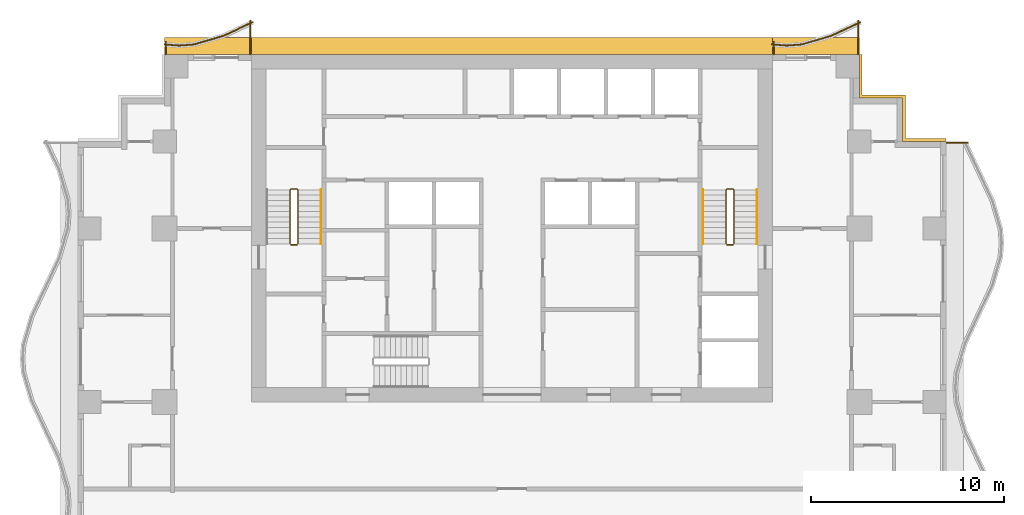
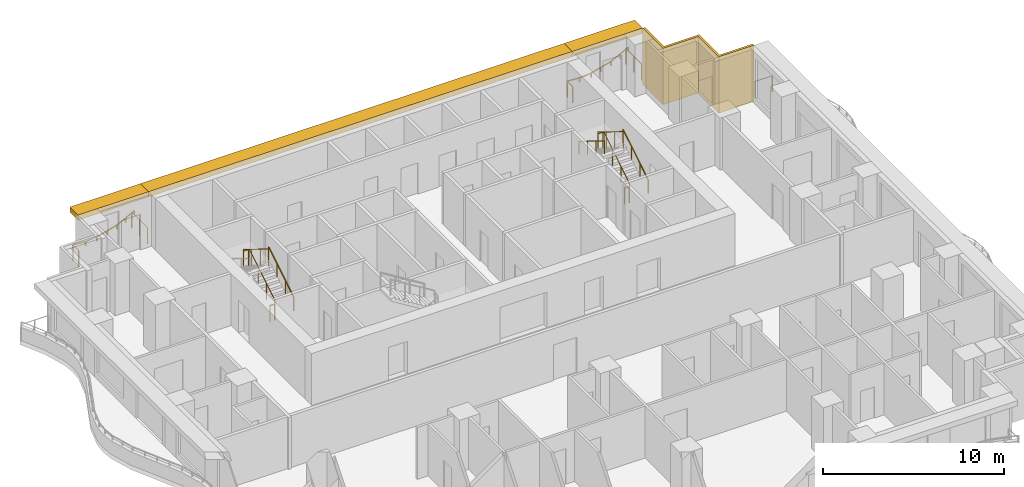
# One storey, part 10 of 10: 14 railings, 4 shading devices.
"""IFC4 building model written with IfcOpenShell, lengths in metres."""

from ifc_helpers import new_model, si_unit, direction, frame, origin, origin_2d, place, context, subcontext, project, spatial, polyline, rectangle, circle, outline, extrude, material, layer, layer_set, type_object, element, save


model = new_model("IFC4")

# Units and contexts
model_context = context("Model", 3, precision=1e-05, world=origin(), true_north=direction((0.0, 1.0)))
body_context = subcontext(model_context, "Body", "Model", "MODEL_VIEW")
ifc_project = project(units=[si_unit("LENGTHUNIT", "METRE"), si_unit("AREAUNIT", "SQUARE_METRE"), si_unit("VOLUMEUNIT", "CUBIC_METRE"), si_unit("PLANEANGLEUNIT", "RADIAN"), si_unit("MASSUNIT", "GRAM", prefix="KILO")], contexts=[model_context])

# Site, building, storey
site_placement = place(None, origin())
site = spatial("IfcSite", under=ifc_project, at=site_placement, CompositionType="ELEMENT")
building_placement = place(site_placement, origin())
building = spatial("IfcBuilding", under=site, at=building_placement, Name="Orbiselva Terraces", CompositionType="ELEMENT")
storey_placement = place(building_placement, frame((0.0, 0.0, 128.8)))
storey = spatial("IfcBuildingStorey", under=building, at=storey_placement, Name="L32", CompositionType="ELEMENT", Elevation=128.8)

# Railings
ifc_material_1 = material(Name="Stainless steel", Category="steel")
railing_type_1 = type_object("IfcRailingType", Name="CORE-GUARD-1100", PredefinedType="GUARDRAIL", material=ifc_material_1)
railing_1_placement = place(storey_placement, frame((-11.1, 12.7, 0.172727)))
element("IfcRailing", 1, at=railing_1_placement, inside=storey, type_object=railing_type_1, Name="L32 S1 stair guard 1", PredefinedType="GUARDRAIL", context=body_context, shape_type="SweptSolid", body=[
    extrude(circle(Radius=0.024, at=origin_2d()), frame((0.0, 0.0, 1.081), z_axis=(0.0, 0.851088519012, 0.52502222125), x_axis=(-1.0, 0.0, 0.0)), (0.0, 0.0, 1.0), 3.289905),
    extrude(circle(Radius=0.024, at=origin_2d()), frame((0.0, 2.8, 2.808273), z_axis=(-0.707106781187, 0.707106781187, 0.0), x_axis=(-0.707106781187, -0.707106781187, 0.0)), (0.0, 0.0, 1.0), 0.070711),
    extrude(circle(Radius=0.024, at=origin_2d()), frame((-0.05, 2.85, 2.808273), z_axis=(-1.0, 0.0, 0.0), x_axis=(0.0, -1.0, 0.0)), (0.0, 0.0, 1.0), 0.3),
    extrude(circle(Radius=0.024, at=origin_2d()), frame((-0.35, 2.85, 2.808273), z_axis=(-0.267894925557, -0.267894925557, 0.925453736133), x_axis=(0.707106781187, -0.707106781187, 0.0)), (0.0, 0.0, 1.0), 0.18664),
    extrude(circle(Radius=0.024, at=origin_2d()), frame((-0.4, 2.8, 2.981), z_axis=(0.0, -0.851088519012, 0.52502222125), x_axis=(1.0, 0.0, 0.0)), (0.0, 0.0, 1.0), 3.289905),
    extrude(circle(Radius=0.021, at=origin_2d()), origin(), (0.0, 0.0, 1.0), 1.057),
    extrude(circle(Radius=0.021, at=origin_2d()), frame((0.0, 0.933333, 0.575758)), (0.0, 0.0, 1.0), 1.057),
    extrude(circle(Radius=0.021, at=origin_2d()), frame((0.0, 1.866667, 1.151515)), (0.0, 0.0, 1.0), 1.057),
    extrude(circle(Radius=0.021, at=origin_2d()), frame((0.0, 2.8, 1.727273)), (0.0, 0.0, 1.0), 1.057),
    extrude(circle(Radius=0.021, at=origin_2d()), frame((-0.05, 2.85, 1.727273)), (0.0, 0.0, 1.0), 1.057),
    extrude(circle(Radius=0.021, at=origin_2d()), frame((-0.35, 2.85, 1.727273)), (0.0, 0.0, 1.0), 1.057),
    extrude(circle(Radius=0.021, at=origin_2d()), frame((-0.4, 2.8, 1.9)), (0.0, 0.0, 1.0), 1.057),
    extrude(circle(Radius=0.021, at=origin_2d()), frame((-0.4, 1.866667, 2.475758)), (0.0, 0.0, 1.0), 1.057),
    extrude(circle(Radius=0.021, at=origin_2d()), frame((-0.4, 0.933333, 3.051515)), (0.0, 0.0, 1.0), 1.057),
    extrude(circle(Radius=0.021, at=origin_2d()), frame((-0.4, 0.0, 3.627273)), (0.0, 0.0, 1.0), 1.057),
])
railing_2_placement = place(storey_placement, frame((-11.15, 12.65, 0.0)))
element("IfcRailing", 2, at=railing_2_placement, inside=storey, type_object=railing_type_1, Name="L32 S1 stair guard 2", PredefinedType="GUARDRAIL", context=body_context, shape_type="SweptSolid", body=[
    extrude(circle(Radius=0.024, at=origin_2d()), frame((0.0, 0.0, 1.081), z_axis=(-1.0, 0.0, 0.0), x_axis=(0.0, -1.0, 0.0)), (0.0, 0.0, 1.0), 0.3),
    extrude(circle(Radius=0.021, at=origin_2d()), origin(), (0.0, 0.0, 1.0), 1.057),
    extrude(circle(Radius=0.021, at=origin_2d()), frame((-0.3, 0.0, 0.0)), (0.0, 0.0, 1.0), 1.057),
])
railing_3_placement = place(storey_placement, frame((11.5, 12.7, 0.172727)))
element("IfcRailing", 3, at=railing_3_placement, inside=storey, type_object=railing_type_1, Name="L32 S2 stair guard 1", PredefinedType="GUARDRAIL", context=body_context, shape_type="SweptSolid", body=[
    extrude(circle(Radius=0.024, at=origin_2d()), frame((0.0, 0.0, 1.081), z_axis=(0.0, 0.851088519012, 0.52502222125), x_axis=(-1.0, 0.0, 0.0)), (0.0, 0.0, 1.0), 3.289905),
    extrude(circle(Radius=0.024, at=origin_2d()), frame((0.0, 2.8, 2.808273), z_axis=(-0.707106781187, 0.707106781187, 0.0), x_axis=(-0.707106781187, -0.707106781187, 0.0)), (0.0, 0.0, 1.0), 0.070711),
    extrude(circle(Radius=0.024, at=origin_2d()), frame((-0.05, 2.85, 2.808273), z_axis=(-1.0, 0.0, 0.0), x_axis=(0.0, -1.0, 0.0)), (0.0, 0.0, 1.0), 0.3),
    extrude(circle(Radius=0.024, at=origin_2d()), frame((-0.35, 2.85, 2.808273), z_axis=(-0.267894925557, -0.267894925557, 0.925453736133), x_axis=(0.707106781187, -0.707106781187, 0.0)), (0.0, 0.0, 1.0), 0.18664),
    extrude(circle(Radius=0.024, at=origin_2d()), frame((-0.4, 2.8, 2.981), z_axis=(0.0, -0.851088519012, 0.52502222125), x_axis=(1.0, 0.0, 0.0)), (0.0, 0.0, 1.0), 3.289905),
    extrude(circle(Radius=0.021, at=origin_2d()), origin(), (0.0, 0.0, 1.0), 1.057),
    extrude(circle(Radius=0.021, at=origin_2d()), frame((0.0, 0.933333, 0.575758)), (0.0, 0.0, 1.0), 1.057),
    extrude(circle(Radius=0.021, at=origin_2d()), frame((0.0, 1.866667, 1.151515)), (0.0, 0.0, 1.0), 1.057),
    extrude(circle(Radius=0.021, at=origin_2d()), frame((0.0, 2.8, 1.727273)), (0.0, 0.0, 1.0), 1.057),
    extrude(circle(Radius=0.021, at=origin_2d()), frame((-0.05, 2.85, 1.727273)), (0.0, 0.0, 1.0), 1.057),
    extrude(circle(Radius=0.021, at=origin_2d()), frame((-0.35, 2.85, 1.727273)), (0.0, 0.0, 1.0), 1.057),
    extrude(circle(Radius=0.021, at=origin_2d()), frame((-0.4, 2.8, 1.9)), (0.0, 0.0, 1.0), 1.057),
    extrude(circle(Radius=0.021, at=origin_2d()), frame((-0.4, 1.866667, 2.475758)), (0.0, 0.0, 1.0), 1.057),
    extrude(circle(Radius=0.021, at=origin_2d()), frame((-0.4, 0.933333, 3.051515)), (0.0, 0.0, 1.0), 1.057),
    extrude(circle(Radius=0.021, at=origin_2d()), frame((-0.4, 0.0, 3.627273)), (0.0, 0.0, 1.0), 1.057),
])
railing_4_placement = place(storey_placement, frame((11.45, 12.65, 0.0)))
element("IfcRailing", 4, at=railing_4_placement, inside=storey, type_object=railing_type_1, Name="L32 S2 stair guard 2", PredefinedType="GUARDRAIL", context=body_context, shape_type="SweptSolid", body=[
    extrude(circle(Radius=0.024, at=origin_2d()), frame((0.0, 0.0, 1.081), z_axis=(-1.0, 0.0, 0.0), x_axis=(0.0, -1.0, 0.0)), (0.0, 0.0, 1.0), 0.3),
    extrude(circle(Radius=0.021, at=origin_2d()), origin(), (0.0, 0.0, 1.0), 1.057),
    extrude(circle(Radius=0.021, at=origin_2d()), frame((-0.3, 0.0, 0.0)), (0.0, 0.0, 1.0), 1.057),
])
railing_type_2 = type_object("IfcRailingType", Name="CORE-HANDRAIL-900", PredefinedType="HANDRAIL", material=ifc_material_1)
for number, where, name in (
    (5, (-9.9, 12.7, 0.172727), "L32 S1 stair handrail 1"),
    (6, (12.7, 12.7, 0.172727), "L32 S2 stair handrail 1"),
):
    element("IfcRailing", number, at=place(storey_placement, frame(where)), inside=storey, type_object=railing_type_2, Name=name, PredefinedType="HANDRAIL", context=body_context, shape_type="SweptSolid", body=[
        extrude(circle(Radius=0.024, at=origin_2d()), frame((0.0, 0.0, 0.876), z_axis=(0.0, 0.851088519012, 0.52502222125), x_axis=(-1.0, 0.0, 0.0)), (0.0, 0.0, 1.0), 3.289905),
        extrude(circle(Radius=0.021, at=origin_2d()), origin(), (0.0, 0.0, 1.0), 0.852),
        extrude(circle(Radius=0.021, at=origin_2d()), frame((0.0, 0.933333, 0.575758)), (0.0, 0.0, 1.0), 0.852),
        extrude(circle(Radius=0.021, at=origin_2d()), frame((0.0, 1.866667, 1.151515)), (0.0, 0.0, 1.0), 0.852),
        extrude(circle(Radius=0.021, at=origin_2d()), frame((0.0, 2.8, 1.727273)), (0.0, 0.0, 1.0), 0.852),
    ])
railing_5_placement = place(storey_placement, frame((9.9, 15.5, 2.072727)))
element("IfcRailing", 7, at=railing_5_placement, inside=storey, type_object=railing_type_2, Name="L32 S2 stair handrail 2", PredefinedType="HANDRAIL", context=body_context, shape_type="SweptSolid", body=[
    extrude(circle(Radius=0.024, at=origin_2d()), frame((0.0, 0.0, 0.876), z_axis=(0.0, -0.851088519012, 0.52502222125), x_axis=(1.0, 0.0, 0.0)), (0.0, 0.0, 1.0), 3.289905),
    extrude(circle(Radius=0.021, at=origin_2d()), origin(), (0.0, 0.0, 1.0), 0.852),
    extrude(circle(Radius=0.021, at=origin_2d()), frame((0.0, -0.933333, 0.575758)), (0.0, 0.0, 1.0), 0.852),
    extrude(circle(Radius=0.021, at=origin_2d()), frame((0.0, -1.866667, 1.151515)), (0.0, 0.0, 1.0), 0.852),
    extrude(circle(Radius=0.021, at=origin_2d()), frame((0.0, -2.8, 1.727273)), (0.0, 0.0, 1.0), 0.852),
])
ifc_material_2 = material(Name="Bonded two-ply safety glass balustrade, stainless steel posts", Category="steel")
railing_type_3 = type_object("IfcRailingType", Name="ENV-BALUSTRADE-1200", PredefinedType="BALUSTRADE", material=ifc_material_2)
railing_6_placement = place(storey_placement, frame((18.053191, 24.186882, 0.9)))
element("IfcRailing", 8, at=railing_6_placement, inside=storey, type_object=railing_type_3, Name="Balcony balustrade L32 NE", PredefinedType="BALUSTRADE", context=body_context, shape_type="SweptSolid", body=[
    extrude(outline(polyline([(0.028868, 0.0), (0.014434, 0.025), (-0.014434, 0.025), (-0.028868, 0.0), (-0.014434, -0.025), (0.014434, -0.025), (0.028868, 0.0)])), frame((0.0, 0.0, 0.275), z_axis=(-0.904944157382, -0.425530342069, 0.0), x_axis=(0.425530342069, -0.904944157382, 0.0)), (0.0, 0.0, 1.0), 1.667376),
    extrude(outline(polyline([(0.028868, 0.0), (0.014434, 0.025), (-0.014434, 0.025), (-0.028868, 0.0), (-0.014434, -0.025), (0.014434, -0.025), (0.028868, 0.0)])), frame((-1.508882, -0.709519, 0.275), z_axis=(-0.960270491427, -0.279070928786, 0.0), x_axis=(0.279070928786, -0.960270491427, 0.0)), (0.0, 0.0, 1.0), 1.584712),
    extrude(outline(polyline([(0.028868, 0.0), (0.014434, 0.025), (-0.014434, 0.025), (-0.028868, 0.0), (-0.014434, -0.025), (0.014434, -0.025), (0.028868, 0.0)])), frame((-3.030634, -1.151766, 0.275), z_axis=(-0.996947796737, -0.078071061106, 0.0), x_axis=(0.078071061106, -0.996947796737, 0.0)), (0.0, 0.0, 1.0), 0.774922),
    extrude(outline(polyline([(0.028868, 0.0), (0.014434, 0.025), (-0.014434, 0.025), (-0.028868, 0.0), (-0.014434, -0.025), (0.014434, -0.025), (0.028868, 0.0)])), frame((-3.803191, -1.212265, 0.275), z_axis=(-0.996947775044, 0.078071338111, 0.0), x_axis=(-0.078071338111, -0.996947775044, 0.0)), (0.0, 0.0, 1.0), 0.762085),
    extrude(rectangle(XDim=0.05, YDim=0.05, at=origin_2d()), origin(), (0.0, 0.0, 1.0), 0.25),
    extrude(rectangle(XDim=0.05, YDim=0.05, at=origin_2d()), frame((-0.754441, -0.35476, 0.0)), (0.0, 0.0, 1.0), 0.25),
    extrude(rectangle(XDim=0.05, YDim=0.05, at=origin_2d()), frame((-1.508882, -0.709519, 0.0)), (0.0, 0.0, 1.0), 0.25),
    extrude(rectangle(XDim=0.05, YDim=0.05, at=origin_2d()), frame((-2.269758, -0.930643, 0.0)), (0.0, 0.0, 1.0), 0.25),
    extrude(rectangle(XDim=0.05, YDim=0.05, at=origin_2d()), frame((-3.030634, -1.151766, 0.0)), (0.0, 0.0, 1.0), 0.25),
    extrude(rectangle(XDim=0.05, YDim=0.05, at=origin_2d()), frame((-3.803191, -1.212265, 0.0)), (0.0, 0.0, 1.0), 0.25),
    extrude(rectangle(XDim=0.05, YDim=0.05, at=origin_2d()), frame((-4.56295, -1.152768, 0.0)), (0.0, 0.0, 1.0), 0.25),
])
railing_7_placement = place(storey_placement, frame((-13.446809, 24.186882, 0.9)))
element("IfcRailing", 9, at=railing_7_placement, inside=storey, type_object=railing_type_3, Name="Balcony balustrade L32 NW", PredefinedType="BALUSTRADE", context=body_context, shape_type="SweptSolid", body=[
    extrude(outline(polyline([(0.028868, 0.0), (0.014434, 0.025), (-0.014434, 0.025), (-0.028868, 0.0), (-0.014434, -0.025), (0.014434, -0.025), (0.028868, 0.0)])), frame((0.0, 0.0, 0.275), z_axis=(-0.904944157382, -0.425530342069, 0.0), x_axis=(0.425530342069, -0.904944157382, 0.0)), (0.0, 0.0, 1.0), 1.667376),
    extrude(outline(polyline([(0.028868, 0.0), (0.014434, 0.025), (-0.014434, 0.025), (-0.028868, 0.0), (-0.014434, -0.025), (0.014434, -0.025), (0.028868, 0.0)])), frame((-1.508882, -0.709519, 0.275), z_axis=(-0.960270491427, -0.279070928786, 0.0), x_axis=(0.279070928786, -0.960270491427, 0.0)), (0.0, 0.0, 1.0), 1.584712),
    extrude(outline(polyline([(0.028868, 0.0), (0.014434, 0.025), (-0.014434, 0.025), (-0.028868, 0.0), (-0.014434, -0.025), (0.014434, -0.025), (0.028868, 0.0)])), frame((-3.030634, -1.151766, 0.275), z_axis=(-0.996947796737, -0.078071061106, 0.0), x_axis=(0.078071061106, -0.996947796737, 0.0)), (0.0, 0.0, 1.0), 0.774922),
    extrude(outline(polyline([(0.028868, 0.0), (0.014434, 0.025), (-0.014434, 0.025), (-0.028868, 0.0), (-0.014434, -0.025), (0.014434, -0.025), (0.028868, 0.0)])), frame((-3.803191, -1.212265, 0.275), z_axis=(-0.996947775044, 0.078071338111, 0.0), x_axis=(-0.078071338111, -0.996947775044, 0.0)), (0.0, 0.0, 1.0), 0.762085),
    extrude(rectangle(XDim=0.05, YDim=0.05, at=origin_2d()), origin(), (0.0, 0.0, 1.0), 0.25),
    extrude(rectangle(XDim=0.05, YDim=0.05, at=origin_2d()), frame((-0.754441, -0.35476, 0.0)), (0.0, 0.0, 1.0), 0.25),
    extrude(rectangle(XDim=0.05, YDim=0.05, at=origin_2d()), frame((-1.508882, -0.709519, 0.0)), (0.0, 0.0, 1.0), 0.25),
    extrude(rectangle(XDim=0.05, YDim=0.05, at=origin_2d()), frame((-2.269758, -0.930643, 0.0)), (0.0, 0.0, 1.0), 0.25),
    extrude(rectangle(XDim=0.05, YDim=0.05, at=origin_2d()), frame((-3.030634, -1.151766, 0.0)), (0.0, 0.0, 1.0), 0.25),
    extrude(rectangle(XDim=0.05, YDim=0.05, at=origin_2d()), frame((-3.803191, -1.212265, 0.0)), (0.0, 0.0, 1.0), 0.25),
    extrude(rectangle(XDim=0.05, YDim=0.05, at=origin_2d()), frame((-4.56295, -1.152768, 0.0)), (0.0, 0.0, 1.0), 0.25),
])
ifc_material_3 = material(Name="Stainless steel rail and posts", Category="steel")
railing_type_4 = type_object("IfcRailingType", Name="ENV-GUARD-1105", PredefinedType="BALUSTRADE", material=ifc_material_3)
railing_8_placement = place(storey_placement, frame((23.619277, 17.94, 0.0)))
element("IfcRailing", 10, at=railing_8_placement, inside=storey, type_object=railing_type_4, Name="Balcony end guard L32 E", PredefinedType="BALUSTRADE", context=body_context, shape_type="SweptSolid", body=[
    extrude(outline(polyline([(0.028868, 0.0), (0.014434, 0.025), (-0.014434, 0.025), (-0.028868, 0.0), (-0.014434, -0.025), (0.014434, -0.025), (0.028868, 0.0)])), frame((0.0, 0.0, 1.08), z_axis=(-1.0, 0.0, 0.0), x_axis=(0.0, -1.0, 0.0)), (0.0, 0.0, 1.0), 1.094277),
    extrude(rectangle(XDim=0.05, YDim=0.05, at=origin_2d()), origin(), (0.0, 0.0, 1.0), 1.055),
    extrude(rectangle(XDim=0.05, YDim=0.05, at=origin_2d()), frame((-1.094277, 0.0, 0.0)), (0.0, 0.0, 1.0), 1.055),
])
railing_9_placement = place(storey_placement, frame((17.94, 24.269844, 0.0)))
element("IfcRailing", 11, at=railing_9_placement, inside=storey, type_object=railing_type_4, Name="Balcony end guard L32 NE", PredefinedType="BALUSTRADE", context=body_context, shape_type="SweptSolid", body=[
    extrude(outline(polyline([(0.028868, 0.0), (0.014434, 0.025), (-0.014434, 0.025), (-0.028868, 0.0), (-0.014434, -0.025), (0.014434, -0.025), (0.028868, 0.0)])), frame((0.0, 0.0, 1.08), z_axis=(0.0, -1.0, 0.0), x_axis=(1.0, 0.0, 0.0)), (0.0, 0.0, 1.0), 1.744844),
    extrude(rectangle(XDim=0.05, YDim=0.05, at=origin_2d()), origin(), (0.0, 0.0, 1.0), 1.055),
    extrude(rectangle(XDim=0.05, YDim=0.05, at=origin_2d()), frame((0.0, -0.872422, 0.0)), (0.0, 0.0, 1.0), 1.055),
    extrude(rectangle(XDim=0.05, YDim=0.05, at=origin_2d()), frame((0.0, -1.744844, 0.0)), (0.0, 0.0, 1.0), 1.055),
])
railing_10_placement = place(storey_placement, frame((13.56, 23.149774, 0.0)))
element("IfcRailing", 12, at=railing_10_placement, inside=storey, type_object=railing_type_4, Name="Balcony end guard L32 NE", PredefinedType="BALUSTRADE", context=body_context, shape_type="SweptSolid", body=[
    extrude(outline(polyline([(0.028868, 0.0), (0.014434, 0.025), (-0.014434, 0.025), (-0.028868, 0.0), (-0.014434, -0.025), (0.014434, -0.025), (0.028868, 0.0)])), frame((0.0, 0.0, 1.08), z_axis=(0.0, -1.0, 0.0), x_axis=(1.0, 0.0, 0.0)), (0.0, 0.0, 1.0), 0.624774),
    extrude(rectangle(XDim=0.05, YDim=0.05, at=origin_2d()), origin(), (0.0, 0.0, 1.0), 1.055),
    extrude(rectangle(XDim=0.05, YDim=0.05, at=origin_2d()), frame((0.0, -0.624774, 0.0)), (0.0, 0.0, 1.0), 1.055),
])
railing_11_placement = place(storey_placement, frame((-13.56, 24.269844, 0.0)))
element("IfcRailing", 13, at=railing_11_placement, inside=storey, type_object=railing_type_4, Name="Balcony end guard L32 NW", PredefinedType="BALUSTRADE", context=body_context, shape_type="SweptSolid", body=[
    extrude(outline(polyline([(0.028868, 0.0), (0.014434, 0.025), (-0.014434, 0.025), (-0.028868, 0.0), (-0.014434, -0.025), (0.014434, -0.025), (0.028868, 0.0)])), frame((0.0, 0.0, 1.08), z_axis=(0.0, -1.0, 0.0), x_axis=(1.0, 0.0, 0.0)), (0.0, 0.0, 1.0), 1.744844),
    extrude(rectangle(XDim=0.05, YDim=0.05, at=origin_2d()), origin(), (0.0, 0.0, 1.0), 1.055),
    extrude(rectangle(XDim=0.05, YDim=0.05, at=origin_2d()), frame((0.0, -0.872422, 0.0)), (0.0, 0.0, 1.0), 1.055),
    extrude(rectangle(XDim=0.05, YDim=0.05, at=origin_2d()), frame((0.0, -1.744844, 0.0)), (0.0, 0.0, 1.0), 1.055),
])
railing_12_placement = place(storey_placement, frame((-17.94, 23.149774, 0.0)))
element("IfcRailing", 14, at=railing_12_placement, inside=storey, type_object=railing_type_4, Name="Balcony end guard L32 NW", PredefinedType="BALUSTRADE", context=body_context, shape_type="SweptSolid", body=[
    extrude(outline(polyline([(0.028868, 0.0), (0.014434, 0.025), (-0.014434, 0.025), (-0.028868, 0.0), (-0.014434, -0.025), (0.014434, -0.025), (0.028868, 0.0)])), frame((0.0, 0.0, 1.08), z_axis=(0.0, -1.0, 0.0), x_axis=(1.0, 0.0, 0.0)), (0.0, 0.0, 1.0), 0.624774),
    extrude(rectangle(XDim=0.05, YDim=0.05, at=origin_2d()), origin(), (0.0, 0.0, 1.0), 1.055),
    extrude(rectangle(XDim=0.05, YDim=0.05, at=origin_2d()), frame((0.0, -0.624774, 0.0)), (0.0, 0.0, 1.0), 1.055),
])

# Shading devices
ifc_material_4 = material(Name="Terracotta louvre screen", Category="masonry")
ifc_layer_1 = layer(ifc_material_4, 0.15)
ifc_layer_set_1 = layer_set([ifc_layer_1], Name="Terracotta louvre screen")
shading_device_type_1 = type_object("IfcShadingDeviceType", Name="ENV-SCREEN-150", PredefinedType="USERDEFINED", material=ifc_layer_set_1)
shading_device_1_placement = place(storey_placement, frame((0.0, 0.0, -0.3)))
element("IfcShadingDevice", 15, at=shading_device_1_placement, inside=storey, type_object=shading_device_type_1, Name="Louvre screen L32 NE", ObjectType="SCREEN", PredefinedType="USERDEFINED", context=body_context, shape_type="SweptSolid", body=[
    extrude(outline(polyline([(22.5, 18.15), (20.4, 18.15), (20.4, 20.4), (18.15, 20.4), (18.15, 22.5), (18.0, 22.5), (18.0, 20.25), (20.25, 20.25), (20.25, 18.0), (22.5, 18.0), (22.5, 18.15)])), origin(), (0.0, 0.0, 1.0), 3.8),
])
ifc_material_5 = material(Name="Terracotta baguette sunshade", Category="masonry")
ifc_layer_2 = layer(ifc_material_5, 0.35)
ifc_layer_set_2 = layer_set([ifc_layer_2], Name="Terracotta baguette sunshade")
shading_device_type_2 = type_object("IfcShadingDeviceType", Name="ENV-SUNSHADE-900x350", PredefinedType="USERDEFINED", material=ifc_layer_set_2)
shading_device_2_placement = place(storey_placement, frame((0.0, 0.0, 3.15)))
element("IfcShadingDevice", 16, at=shading_device_2_placement, inside=storey, type_object=shading_device_type_2, Name="Sunshade band L32 NE", ObjectType="SUNSHADE", PredefinedType="USERDEFINED", context=body_context, shape_type="SweptSolid", body=[
    extrude(outline(polyline([(18.0, 23.4), (13.5, 23.4), (13.5, 22.5), (18.0, 22.5), (18.0, 23.4)])), origin(), (0.0, 0.0, 1.0), 0.35),
])
shading_device_3_placement = place(storey_placement, frame((0.0, 0.0, 3.15)))
element("IfcShadingDevice", 17, at=shading_device_3_placement, inside=storey, type_object=shading_device_type_2, Name="Sunshade band L32 CORE NORTH", ObjectType="SUNSHADE", PredefinedType="USERDEFINED", context=body_context, shape_type="SweptSolid", body=[
    extrude(outline(polyline([(13.5, 23.4), (-13.5, 23.4), (-13.5, 22.5), (13.5, 22.5), (13.5, 23.4)])), origin(), (0.0, 0.0, 1.0), 0.35),
])
shading_device_4_placement = place(storey_placement, frame((0.0, 0.0, 3.15)))
element("IfcShadingDevice", 18, at=shading_device_4_placement, inside=storey, type_object=shading_device_type_2, Name="Sunshade band L32 NW", ObjectType="SUNSHADE", PredefinedType="USERDEFINED", context=body_context, shape_type="SweptSolid", body=[
    extrude(outline(polyline([(-13.5, 23.4), (-18.0, 23.4), (-18.0, 22.5), (-13.5, 22.5), (-13.5, 23.4)])), origin(), (0.0, 0.0, 1.0), 0.35),
])

save(model, "model.ifc")
